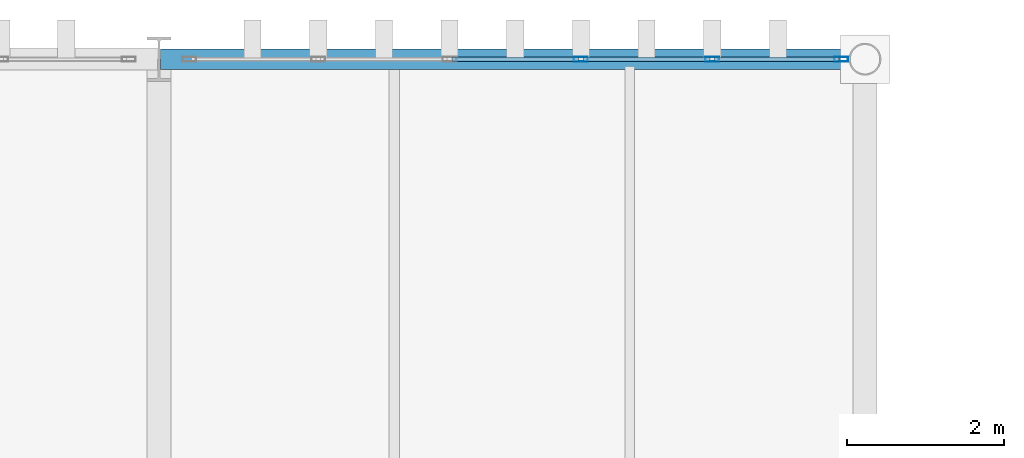
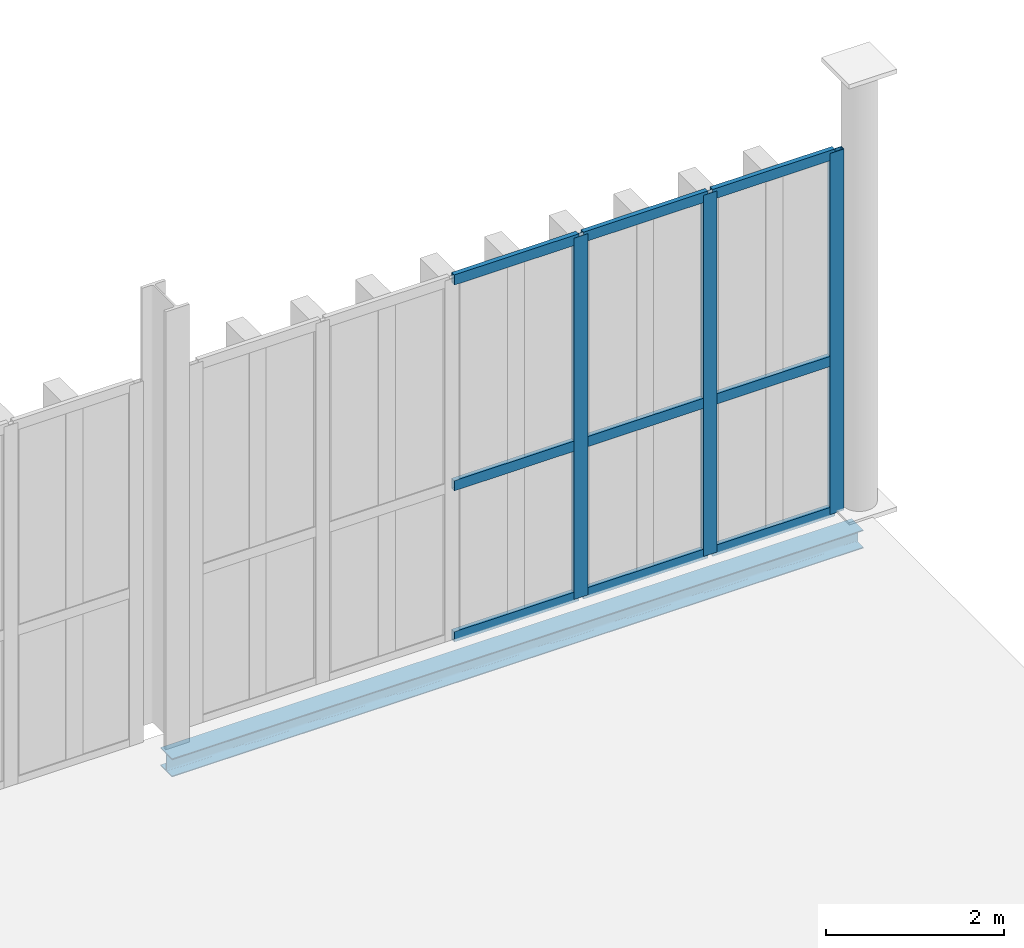
# One storey, part 149 of 211: 12 members, 1 beam, 1 element without a shape of its own.
"""IFC4 building model written with IfcOpenShell, lengths in metres."""

from ifc_helpers import new_model, si_unit, direction, frame, origin, origin_2d, place, context, subcontext, project, spatial, hollow_rectangle, i_section, extrude, material, layer, layer_set, material_profile, profile_set, type_object, element, aggregate, save


model = new_model("IFC4")

# Units and contexts
model_context = context("Model", 3, precision=1e-05, world=origin(), true_north=direction((0.0, 1.0)))
body_context = subcontext(model_context, "Body", "Model", "MODEL_VIEW")
ifc_project = project(units=[si_unit("LENGTHUNIT", "METRE"), si_unit("AREAUNIT", "SQUARE_METRE"), si_unit("VOLUMEUNIT", "CUBIC_METRE"), si_unit("PLANEANGLEUNIT", "RADIAN"), si_unit("MASSUNIT", "GRAM", prefix="KILO")], contexts=[model_context])

# Site, building, storey
site_placement = place(None, origin())
site = spatial("IfcSite", under=ifc_project, at=site_placement, CompositionType="ELEMENT")
building_placement = place(site_placement, origin())
building = spatial("IfcBuilding", under=site, at=building_placement, Name="Barlavento Convention Centre", CompositionType="ELEMENT")
storey_placement = place(building_placement, frame((0.0, 0.0, 6.0)))
storey = spatial("IfcBuildingStorey", under=building, at=storey_placement, Name="L01", CompositionType="ELEMENT", Elevation=6.0)

# Curtain wall, members
ifc_material_1 = material(Name="Powder-coated aluminium and Low-E glass", Category="aluminium")
ifc_layer = layer(ifc_material_1, 0.179931640625)
ifc_layer_set = layer_set([ifc_layer], Name="ARC-CW-EXH-L01")
curtain_wall_type = type_object("IfcCurtainWallType", Name="ARC-CW-EXH-L01", PredefinedType="NOTDEFINED", material=ifc_layer_set)
curtain_wall_placement = place(storey_placement, origin())
curtain_wall = element("IfcCurtainWall", 1, at=curtain_wall_placement, inside=storey, type_object=curtain_wall_type, Name="L01 unitised curtain wall CW04", PredefinedType="NOTDEFINED")
ifc_material_2 = material(Name="Powder-coated aluminium", Category="aluminium")
ifc_material_profile_1 = material_profile(ifc_material_2, hollow_rectangle(XDim=0.06005859375, YDim=0.179931640625, WallThickness=0.0048828125, at=origin_2d()), Name="AL-MULL 60x180x5")
ifc_profile_set_1 = profile_set([ifc_material_profile_1], Name="Powder-coated aluminium")
member_type_1 = type_object("IfcMemberType", Name="ARC-CWM-60X180", PredefinedType="MULLION", material=ifc_profile_set_1)
member_1_placement = place(storey_placement, frame((122.37841796875, 135.0, 0.0), z_axis=(0.0, 0.0, 1.0), x_axis=(0.0, 1.0, 0.0)))
member_1 = element("IfcMember", 2, at=member_1_placement, type_object=member_type_1, Name="CW04 mullion 4", PredefinedType="MULLION", context=body_context, shape_type="SweptSolid", body=[
    extrude(hollow_rectangle(XDim=0.06005859375, YDim=0.179931640625, WallThickness=0.0048828125, at=origin_2d()), origin(), (0.0, 0.0, 1.0), 4.949951171875),
])
member_2_placement = place(storey_placement, frame((124.052734375, 135.0, 0.0), z_axis=(0.0, 0.0, 1.0), x_axis=(0.0, 1.0, 0.0)))
member_2 = element("IfcMember", 3, at=member_2_placement, type_object=member_type_1, Name="CW04 mullion 5", PredefinedType="MULLION", context=body_context, shape_type="SweptSolid", body=[
    extrude(hollow_rectangle(XDim=0.06005859375, YDim=0.179931640625, WallThickness=0.0048828125, at=origin_2d()), origin(), (0.0, 0.0, 1.0), 4.949951171875),
])
member_3_placement = place(storey_placement, frame((125.69677734375, 135.0, 0.0), z_axis=(0.0, 0.0, 1.0), x_axis=(0.0, 1.0, 0.0)))
member_3 = element("IfcMember", 4, at=member_3_placement, type_object=member_type_1, Name="CW04 mullion 6", PredefinedType="MULLION", context=body_context, shape_type="SweptSolid", body=[
    extrude(hollow_rectangle(XDim=0.06005859375, YDim=0.179931640625, WallThickness=0.0048828125, at=origin_2d()), origin(), (0.0, 0.0, 1.0), 4.949951171875),
])
ifc_material_profile_2 = material_profile(ifc_material_2, hollow_rectangle(XDim=0.06005859375, YDim=0.139892578125, WallThickness=0.00390625, at=origin_2d()), Name="AL-TRAN 60x140x4")
ifc_profile_set_2 = profile_set([ifc_material_profile_2], Name="Powder-coated aluminium")
member_type_2 = type_object("IfcMemberType", Name="ARC-CWT-60X140", PredefinedType="USERDEFINED", material=ifc_profile_set_2)
member_4_placement = place(storey_placement, frame((120.734375, 135.0, 0.030029296875), z_axis=(1.0, 0.0, 0.0), x_axis=(0.0, 1.0, 0.0)))
member_4 = element("IfcMember", 5, at=member_4_placement, type_object=member_type_2, Name="CW04 transom 3.1", ObjectType="TRANSOM", PredefinedType="USERDEFINED", context=body_context, shape_type="SweptSolid", body=[
    extrude(hollow_rectangle(XDim=0.06005859375, YDim=0.139892578125, WallThickness=0.00390625, at=origin_2d()), origin(), (0.0, 0.0, 1.0), 1.614013671875),
])
member_5_placement = place(storey_placement, frame((120.734375, 135.0, 2.10009765625), z_axis=(1.0, 0.0, 0.0), x_axis=(0.0, 1.0, 0.0)))
member_5 = element("IfcMember", 6, at=member_5_placement, type_object=member_type_2, Name="CW04 transom 3.2", ObjectType="TRANSOM", PredefinedType="USERDEFINED", context=body_context, shape_type="SweptSolid", body=[
    extrude(hollow_rectangle(XDim=0.06005859375, YDim=0.139892578125, WallThickness=0.00390625, at=origin_2d()), origin(), (0.0, 0.0, 1.0), 1.614013671875),
])
member_6_placement = place(storey_placement, frame((120.734375, 135.0, 4.919921875), z_axis=(1.0, 0.0, 0.0), x_axis=(0.0, 1.0, 0.0)))
member_6 = element("IfcMember", 7, at=member_6_placement, type_object=member_type_2, Name="CW04 transom 3.3", ObjectType="TRANSOM", PredefinedType="USERDEFINED", context=body_context, shape_type="SweptSolid", body=[
    extrude(hollow_rectangle(XDim=0.06005859375, YDim=0.139892578125, WallThickness=0.00390625, at=origin_2d()), origin(), (0.0, 0.0, 1.0), 1.614013671875),
])
member_7_placement = place(storey_placement, frame((122.408447265625, 135.0, 0.030029296875), z_axis=(1.0, 0.0, 0.0), x_axis=(0.0, 1.0, 0.0)))
member_7 = element("IfcMember", 8, at=member_7_placement, type_object=member_type_2, Name="CW04 transom 4.1", ObjectType="TRANSOM", PredefinedType="USERDEFINED", context=body_context, shape_type="SweptSolid", body=[
    extrude(hollow_rectangle(XDim=0.06005859375, YDim=0.139892578125, WallThickness=0.00390625, at=origin_2d()), origin(), (0.0, 0.0, 1.0), 1.6142578125),
])
member_8_placement = place(storey_placement, frame((122.408447265625, 135.0, 2.10009765625), z_axis=(1.0, 0.0, 0.0), x_axis=(0.0, 1.0, 0.0)))
member_8 = element("IfcMember", 9, at=member_8_placement, type_object=member_type_2, Name="CW04 transom 4.2", ObjectType="TRANSOM", PredefinedType="USERDEFINED", context=body_context, shape_type="SweptSolid", body=[
    extrude(hollow_rectangle(XDim=0.06005859375, YDim=0.139892578125, WallThickness=0.00390625, at=origin_2d()), origin(), (0.0, 0.0, 1.0), 1.6142578125),
])
member_9_placement = place(storey_placement, frame((122.408447265625, 135.0, 4.919921875), z_axis=(1.0, 0.0, 0.0), x_axis=(0.0, 1.0, 0.0)))
member_9 = element("IfcMember", 10, at=member_9_placement, type_object=member_type_2, Name="CW04 transom 4.3", ObjectType="TRANSOM", PredefinedType="USERDEFINED", context=body_context, shape_type="SweptSolid", body=[
    extrude(hollow_rectangle(XDim=0.06005859375, YDim=0.139892578125, WallThickness=0.00390625, at=origin_2d()), origin(), (0.0, 0.0, 1.0), 1.6142578125),
])
member_10_placement = place(storey_placement, frame((124.08251953125, 135.0, 0.030029296875), z_axis=(1.0, 0.0, 0.0), x_axis=(0.0, 1.0, 0.0)))
member_10 = element("IfcMember", 11, at=member_10_placement, type_object=member_type_2, Name="CW04 transom 5.1", ObjectType="TRANSOM", PredefinedType="USERDEFINED", context=body_context, shape_type="SweptSolid", body=[
    extrude(hollow_rectangle(XDim=0.06005859375, YDim=0.139892578125, WallThickness=0.00390625, at=origin_2d()), origin(), (0.0, 0.0, 1.0), 1.584228515625),
])
member_11_placement = place(storey_placement, frame((124.08251953125, 135.0, 2.10009765625), z_axis=(1.0, 0.0, 0.0), x_axis=(0.0, 1.0, 0.0)))
member_11 = element("IfcMember", 12, at=member_11_placement, type_object=member_type_2, Name="CW04 transom 5.2", ObjectType="TRANSOM", PredefinedType="USERDEFINED", context=body_context, shape_type="SweptSolid", body=[
    extrude(hollow_rectangle(XDim=0.06005859375, YDim=0.139892578125, WallThickness=0.00390625, at=origin_2d()), origin(), (0.0, 0.0, 1.0), 1.584228515625),
])
member_12_placement = place(storey_placement, frame((124.08251953125, 135.0, 4.919921875), z_axis=(1.0, 0.0, 0.0), x_axis=(0.0, 1.0, 0.0)))
member_12 = element("IfcMember", 13, at=member_12_placement, type_object=member_type_2, Name="CW04 transom 5.3", ObjectType="TRANSOM", PredefinedType="USERDEFINED", context=body_context, shape_type="SweptSolid", body=[
    extrude(hollow_rectangle(XDim=0.06005859375, YDim=0.139892578125, WallThickness=0.00390625, at=origin_2d()), origin(), (0.0, 0.0, 1.0), 1.584228515625),
])
aggregate(curtain_wall, [member_1, member_2, member_3, member_4, member_5, member_6, member_7, member_8, member_9, member_10, member_11, member_12])

# Beam
ifc_material_3 = material(Name="Steel S355", Category="steel")
ifc_material_profile_3 = material_profile(ifc_material_3, i_section(OverallWidth=0.260009765625, OverallDepth=0.25, WebThickness=0.007568359375, FlangeThickness=0.012451171875, FilletRadius=0.02392578125, at=origin_2d()), Name="HEA 260")
ifc_profile_set_3 = profile_set([ifc_material_profile_3], Name="Steel S355")
beam_type = type_object("IfcBeamType", Name="STR-BM-SPN-HEA260", PredefinedType="SPANDREL", material=ifc_profile_set_3)
beam_placement = place(storey_placement, frame((117.02001953125, 135.0, -0.405029296875), z_axis=(1.0, 0.0, 0.0), x_axis=(0.0, 1.0, 0.0)))
element("IfcBeam", 14, at=beam_placement, inside=storey, type_object=beam_type, Name="L01 primary girder SP04", PredefinedType="SPANDREL", context=body_context, shape_type="SweptSolid", body=[
    extrude(i_section(OverallWidth=0.260009765625, OverallDepth=0.25, WebThickness=0.007568359375, FlangeThickness=0.012451171875, FilletRadius=0.02392578125, at=origin_2d()), origin(), (0.0, 0.0, 1.0), 8.9599609375),
])

save(model, "model.ifc")
